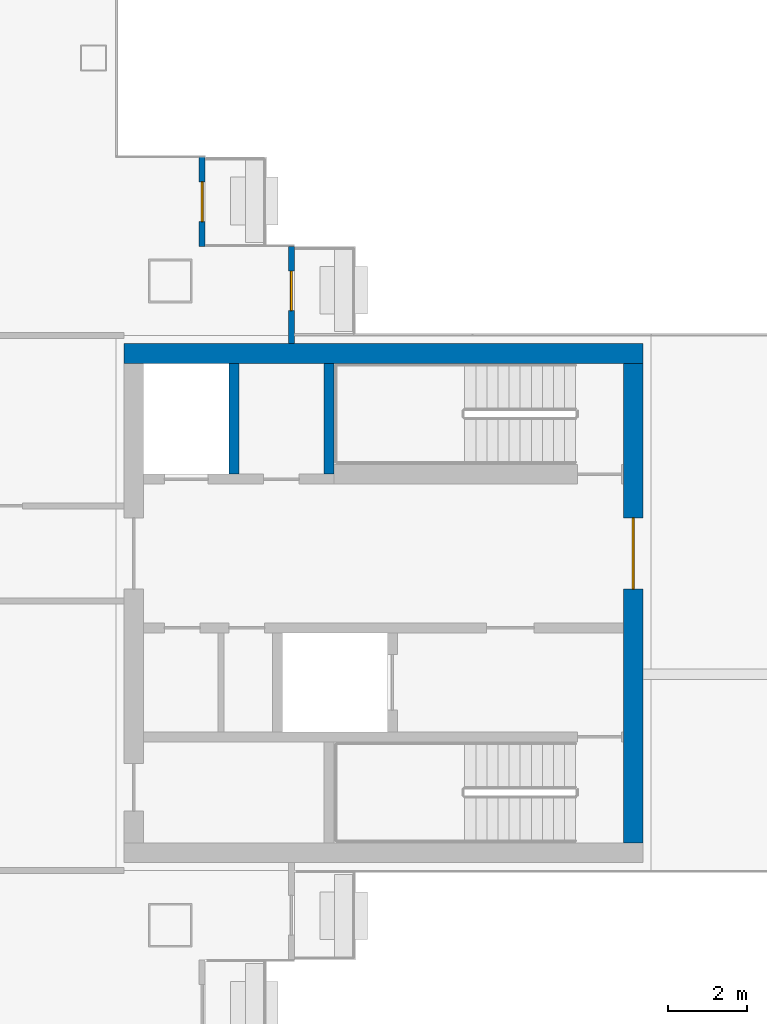
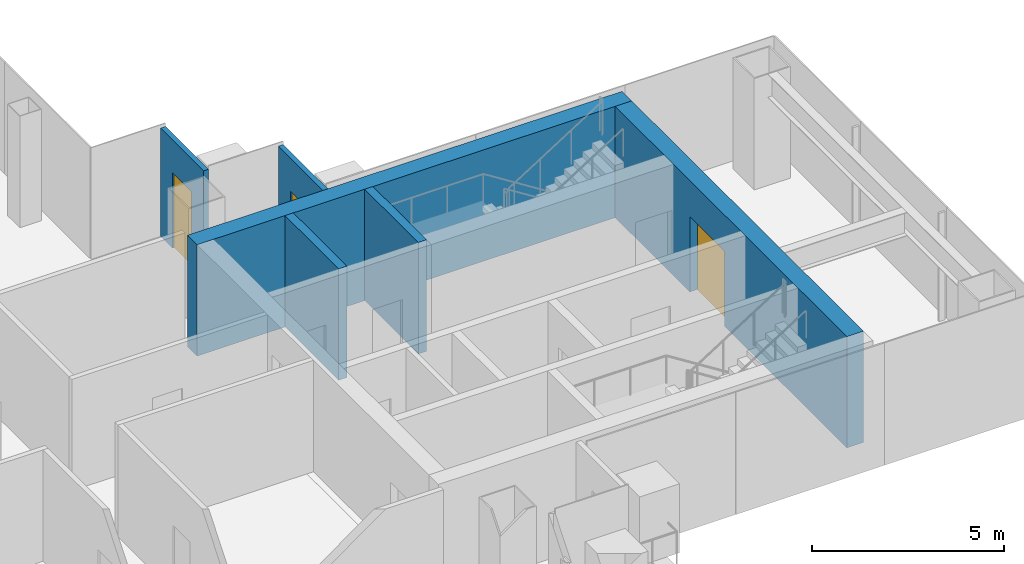
# One storey, part 13 of 17: 6 walls, 3 doors, 3 openings.
"""IFC4 building model written with IfcOpenShell, lengths in metres."""

from ifc_helpers import new_model, si_unit, direction, frame, frame_2d, origin, place, context, subcontext, project, spatial, rectangle, extrude, material, layer, layer_set, type_object, element, fill, save


model = new_model("IFC4")

# Units and contexts
model_context = context("Model", 3, precision=1e-05, world=origin(), true_north=direction((0.0, 1.0)))
body_context = subcontext(model_context, "Body", "Model", "MODEL_VIEW")
ifc_project = project(units=[si_unit("LENGTHUNIT", "METRE"), si_unit("AREAUNIT", "SQUARE_METRE"), si_unit("VOLUMEUNIT", "CUBIC_METRE"), si_unit("PLANEANGLEUNIT", "RADIAN"), si_unit("MASSUNIT", "GRAM", prefix="KILO")], contexts=[model_context])

# Site, building, storey
site_placement = place(None, origin())
site = spatial("IfcSite", under=ifc_project, at=site_placement, CompositionType="ELEMENT")
building_placement = place(site_placement, origin())
building = spatial("IfcBuilding", under=site, at=building_placement, Name="Shamsa Quay Exchange Towers", CompositionType="ELEMENT")
storey_placement = place(building_placement, frame((0.0, 0.0, 170.10009765625)))
storey = spatial("IfcBuildingStorey", under=building, at=storey_placement, Name="L40", CompositionType="ELEMENT", Elevation=170.10009765625)

# Wall, opening, door
ifc_material_1 = material(Name="Aluminium EN AW-6063 T6, black anodised, with black enamelled glass infill", Category="aluminium")
ifc_layer_1 = layer(ifc_material_1, 0.14990234375)
ifc_layer_set_1 = layer_set([ifc_layer_1], Name="BALCONY DOOR BAY WALL 150")
wall_type_1 = type_object("IfcWallType", Name="BALCONY DOOR BAY WALL 150", PredefinedType="SOLIDWALL", material=ifc_layer_set_1)
wall_1_placement = place(storey_placement, frame((42.675048828125, 11.25, 0.0), z_axis=(0.0, 0.0, 1.0), x_axis=(0.0, -1.0, 0.0)))
wall_1 = element("IfcWall", 1, at=wall_1_placement, inside=storey, type_object=wall_type_1, Name="Door bay T2-PKES L40", PredefinedType="SOLIDWALL", context=body_context, shape_type="SweptSolid", body=[
    extrude(rectangle(XDim=2.25, YDim=0.14990234375, at=frame_2d((1.125, 0.0))), origin(), (0.0, 0.0, 1.0), 3.449951171875),
])
opening_1_placement = place(wall_1_placement, frame((0.625, 0.0, 0.0)))
opening_1 = element("IfcOpeningElement", 2, at=opening_1_placement, cuts=wall_1, Name="Opening XD251", PredefinedType="OPENING", context=body_context, shape_type="SweptSolid", body=[
    extrude(rectangle(XDim=1.0, YDim=2.39990234375, at=frame_2d((0.5, 1.199951171875))), frame((0.0, 0.0849609375, 0.0), z_axis=(0.0, -1.0, 0.0), x_axis=(1.0, 0.0, 0.0)), (0.0, 0.0, 1.0), 0.169921875),
])
ifc_material_2 = material(Name="Aluminium EN AW-6063 T6, black anodised, with laminated glass leaf", Category="aluminium")
door_type_1 = type_object("IfcDoorType", Name="BALCONY DOOR 1000x2400", OperationType="SINGLE_SWING_LEFT", PredefinedType="DOOR", material=ifc_material_2)
door_1_placement = place(opening_1_placement, origin())
door_1 = element("IfcDoor", 3, at=door_1_placement, inside=storey, type_object=door_type_1, Name="Balcony door T2-PKES L40", OperationType="SINGLE_SWING_RIGHT", OverallHeight=2.39990234375, OverallWidth=1.0, PredefinedType="DOOR", context=body_context, shape_type="SweptSolid", body=[
    extrude(rectangle(XDim=1.0, YDim=2.39990234375, at=frame_2d((0.5, 1.199951171875))), frame((0.0, 0.02490234375, 0.0), z_axis=(0.0, -1.0, 0.0), x_axis=(1.0, 0.0, 0.0)), (0.0, 0.0, 1.0), 0.050048828125),
])
fill(opening_1, door_1)

wall_2_placement = place(storey_placement, frame((44.925048828125, 9.0, 0.0), z_axis=(0.0, 0.0, 1.0), x_axis=(0.0, -1.0, 0.0)))
wall_2 = element("IfcWall", 4, at=wall_2_placement, inside=storey, type_object=wall_type_1, Name="Door bay T2-PKES L40", PredefinedType="SOLIDWALL", context=body_context, shape_type="SweptSolid", body=[
    extrude(rectangle(XDim=2.45703125, YDim=0.14990234375, at=frame_2d((1.228515625, 0.0))), origin(), (0.0, 0.0, 1.0), 3.449951171875),
])
opening_2_placement = place(wall_2_placement, frame((0.625, 0.0, 0.0)))
opening_2 = element("IfcOpeningElement", 5, at=opening_2_placement, cuts=wall_2, Name="Opening XD252", PredefinedType="OPENING", context=body_context, shape_type="SweptSolid", body=[
    extrude(rectangle(XDim=1.0, YDim=2.39990234375, at=frame_2d((0.5, 1.199951171875))), frame((0.0, 0.0849609375, 0.0), z_axis=(0.0, -1.0, 0.0), x_axis=(1.0, 0.0, 0.0)), (0.0, 0.0, 1.0), 0.169921875),
])
door_2_placement = place(opening_2_placement, origin())
door_2 = element("IfcDoor", 6, at=door_2_placement, inside=storey, type_object=door_type_1, Name="Balcony door T2-PKES L40", OperationType="SINGLE_SWING_LEFT", OverallHeight=2.39990234375, OverallWidth=1.0, PredefinedType="DOOR", context=body_context, shape_type="SweptSolid", body=[
    extrude(rectangle(XDim=1.0, YDim=2.39990234375, at=frame_2d((0.5, 1.199951171875))), frame((0.0, 0.02490234375, 0.0), z_axis=(0.0, -1.0, 0.0), x_axis=(1.0, 0.0, 0.0)), (0.0, 0.0, 1.0), 0.050048828125),
])
fill(opening_2, door_2)

# Wall
ifc_material_3 = material(Name="Concrete C60/75", Category="concrete")
ifc_layer_2 = layer(ifc_material_3, 0.5)
ifc_layer_set_2 = layer_set([ifc_layer_2], Name="CORE WALL 500 C60/75")
wall_type_2 = type_object("IfcWallType", Name="CORE WALL 500 C60/75", PredefinedType="SHEAR", material=ifc_layer_set_2)
wall_3_placement = place(storey_placement, frame((53.800048828125, 6.300048828125, 0.0), z_axis=(0.0, 0.0, 1.0), x_axis=(-1.0, 0.0, 0.0)))
element("IfcWall", 7, at=wall_3_placement, inside=storey, type_object=wall_type_2, Name="Core wall T2B-R19-PN", PredefinedType="SHEAR", context=body_context, shape_type="SweptSolid", body=[
    extrude(rectangle(XDim=13.10009765625, YDim=0.5, at=frame_2d((6.550048828125, 0.0))), origin(), (0.0, 0.0, 1.0), 3.5498046875),
])

# Wall, opening, door
wall_4_placement = place(storey_placement, frame((53.550048828125, -6.050048828125, 0.0), z_axis=(0.0, 0.0, 1.0), x_axis=(0.0, 1.0, 0.0)))
wall_4 = element("IfcWall", 8, at=wall_4_placement, inside=storey, type_object=wall_type_2, Name="Core wall T2B-R19-PF", PredefinedType="SHEAR", context=body_context, shape_type="SweptSolid", body=[
    extrude(rectangle(XDim=12.10009765625, YDim=0.5, at=frame_2d((6.050048828125, 0.0))), origin(), (0.0, 0.0, 1.0), 3.5498046875),
])
opening_3_placement = place(wall_4_placement, frame((6.39990234375, 0.0, 0.0)))
opening_3 = element("IfcOpeningElement", 9, at=opening_3_placement, cuts=wall_4, Name="Opening T2B-R19-LBD01", PredefinedType="OPENING", context=body_context, shape_type="SweptSolid", body=[
    extrude(rectangle(XDim=1.800048828125, YDim=2.39990234375, at=frame_2d((0.89990234375, 1.199951171875))), frame((0.0, 0.260009765625, 0.0), z_axis=(0.0, -1.0, 0.0), x_axis=(1.0, 0.0, 0.0)), (0.0, 0.0, 1.0), 0.52001953125),
])
ifc_material_4 = material(Name="Steel, fire rated", Category="steel")
door_type_2 = type_object("IfcDoorType", Name="LIFT LOBBY DOOR PAIR 1800", OperationType="DOUBLE_DOOR_SINGLE_SWING", PredefinedType="DOOR", material=ifc_material_4)
door_3_placement = place(opening_3_placement, origin())
door_3 = element("IfcDoor", 10, at=door_3_placement, inside=storey, type_object=door_type_2, Name="T2B-R19-LBD01", OperationType="DOUBLE_DOOR_SINGLE_SWING", OverallHeight=2.39990234375, OverallWidth=1.800048828125, PredefinedType="DOOR", context=body_context, shape_type="SweptSolid", body=[
    extrude(rectangle(XDim=1.800048828125, YDim=2.39990234375, at=frame_2d((0.89990234375, 1.199951171875))), frame((0.0, 0.02490234375, 0.0), z_axis=(0.0, -1.0, 0.0), x_axis=(1.0, 0.0, 0.0)), (0.0, 0.0, 1.0), 0.050048828125),
])
fill(opening_3, door_3)

# Walls
ifc_material_5 = material(Name="Concrete C50/60", Category="concrete")
ifc_layer_3 = layer(ifc_material_5, 0.25)
ifc_layer_set_3 = layer_set([ifc_layer_3], Name="SHAFT WALL 250 C50/60")
wall_type_3 = type_object("IfcWallType", Name="SHAFT WALL 250 C50/60", PredefinedType="SHEAR", material=ifc_layer_set_3)
for number, where, z_axis, x_axis, name in (
    (11, (45.875, 3.25, 0.0), (0.0, 0.0, 1.0), (0.0, 1.0, 0.0), "Shaft wall T2B-R19-STF2"),
    (12, (43.47509765625, 3.25, 0.0), (0.0, 0.0, 1.0), (0.0, 1.0, 0.0), "Shaft wall T2B-R19-D0"),
):
    element("IfcWall", number, at=place(storey_placement, frame(where, z_axis=z_axis, x_axis=x_axis)), inside=storey, type_object=wall_type_3, Name=name, PredefinedType="SHEAR", context=body_context, shape_type="SweptSolid", body=[
        extrude(rectangle(XDim=2.800048828125, YDim=0.25, at=frame_2d((1.39990234375, 0.0))), origin(), (0.0, 0.0, 1.0), 3.5498046875),
    ])

save(model, "model.ifc")
